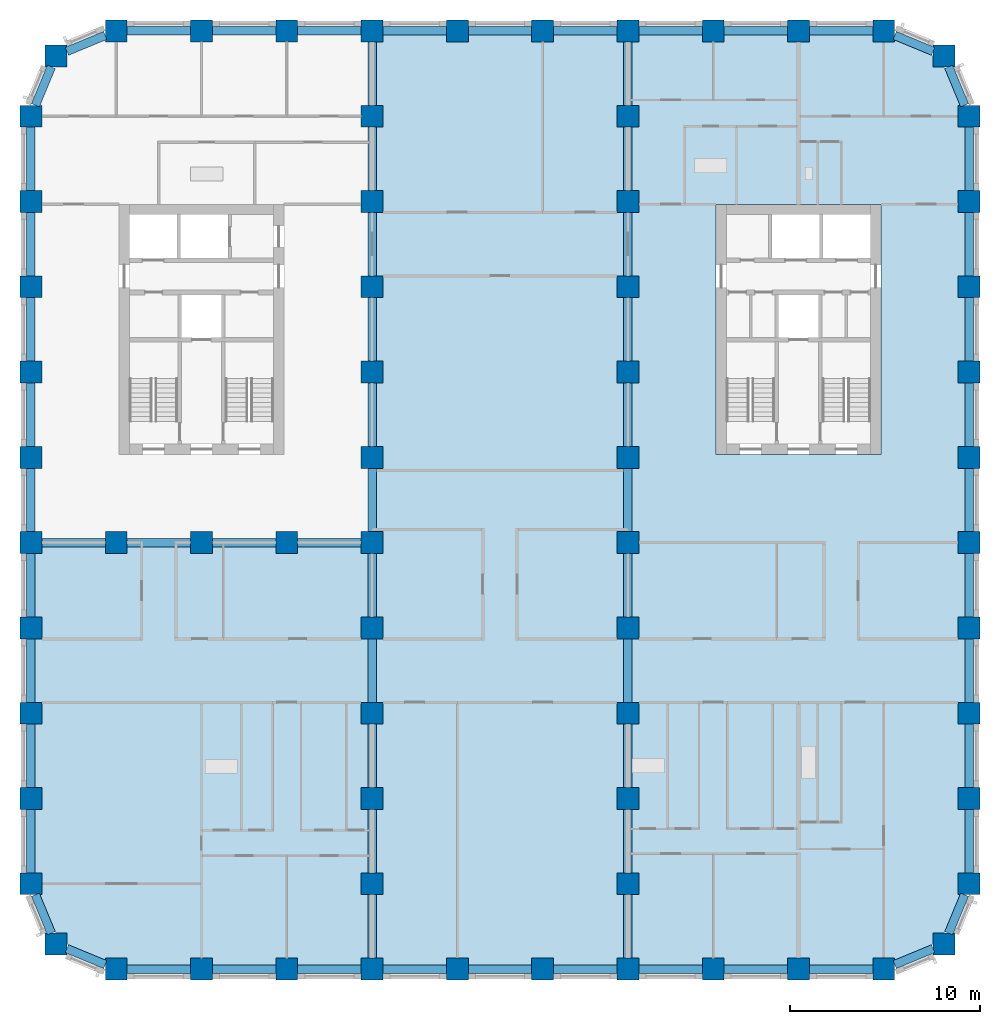
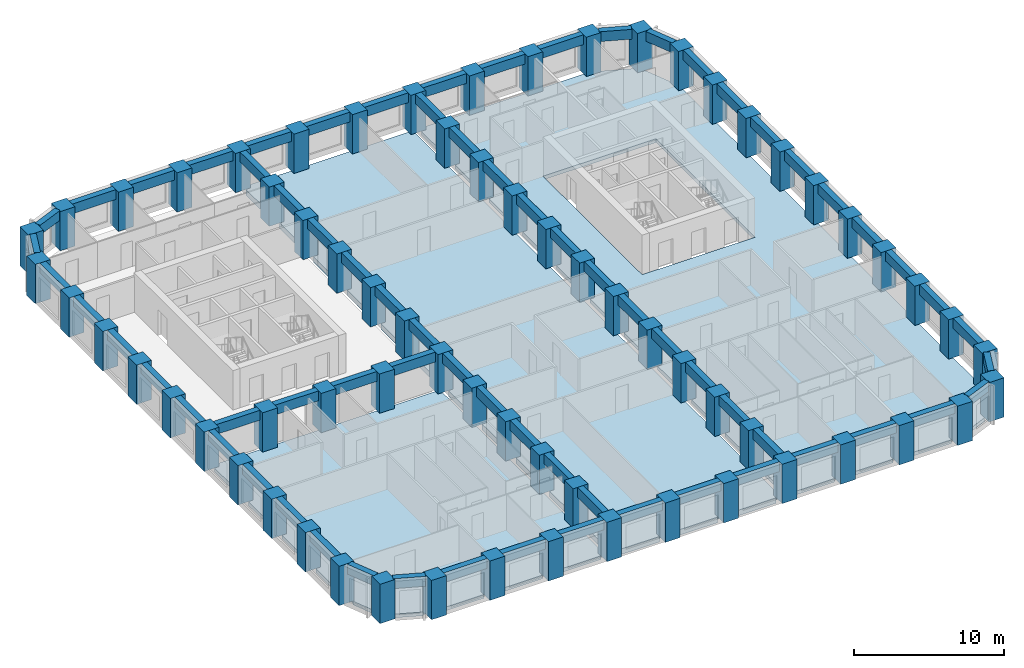
# One storey, part 1 of 12: 70 beams, 67 columns, 3 slabs.
"""IFC4 building model written with IfcOpenShell, lengths in metres."""

from ifc_helpers import new_model, si_unit, direction, frame, origin, origin_2d, place, context, subcontext, project, spatial, polyline, rectangle, outline, extrude, material, layer, layer_set, material_profile, profile_set, type_object, element, save


model = new_model("IFC4")

# Units and contexts
model_context = context("Model", 3, precision=1e-05, world=origin(), true_north=direction((0.0, 1.0)))
body_context = subcontext(model_context, "Body", "Model", "MODEL_VIEW")
ifc_project = project(units=[si_unit("LENGTHUNIT", "METRE"), si_unit("AREAUNIT", "SQUARE_METRE"), si_unit("VOLUMEUNIT", "CUBIC_METRE"), si_unit("PLANEANGLEUNIT", "RADIAN"), si_unit("MASSUNIT", "GRAM", prefix="KILO")], contexts=[model_context])

# Site, building, storey
site_placement = place(None, origin())
site = spatial("IfcSite", under=ifc_project, at=site_placement, CompositionType="ELEMENT")
building_placement = place(site_placement, origin())
building = spatial("IfcBuilding", under=site, at=building_placement, Name="Girih Gate Residences", CompositionType="ELEMENT")
storey_placement = place(building_placement, frame((0.0, 0.0, 115.199951171875)))
storey = spatial("IfcBuildingStorey", under=building, at=storey_placement, Name="L32", CompositionType="ELEMENT", Elevation=115.199951171875)

# Columns
ifc_material_1 = material(Name="Concrete C80/95", Category="concrete")
ifc_material_profile_1 = material_profile(ifc_material_1, rectangle(XDim=1.14990234375, YDim=1.14990234375, at=origin_2d()))
ifc_profile_set_1 = profile_set([ifc_material_profile_1], Name="Concrete C80/95")
column_type = type_object("IfcColumnType", Name="Pier RC 1150x1150 Concrete C80/95", PredefinedType="COLUMN", material=ifc_profile_set_1)
for number, where, z_axis, x_axis, name in (
    (1, (4.5, 0.0, 0.0), (0.0, 0.0, 1.0), (1.0, 0.0, 0.0), "Pier P2A L32"),
    (2, (9.0, 0.0, 0.0), (0.0, 0.0, 1.0), (1.0, 0.0, 0.0), "Pier P3A L32"),
    (3, (13.5, 0.0, 0.0), (0.0, 0.0, 1.0), (1.0, 0.0, 0.0), "Pier P4A L32"),
    (4, (18.0, 0.0, 0.0), (0.0, 0.0, 1.0), (1.0, 0.0, 0.0), "Pier P5A L32"),
    (5, (22.5, 0.0, 0.0), (0.0, 0.0, 1.0), (1.0, 0.0, 0.0), "Pier P6A L32"),
    (6, (27.0, 0.0, 0.0), (0.0, 0.0, 1.0), (1.0, 0.0, 0.0), "Pier P7A L32"),
    (7, (31.5, 0.0, 0.0), (0.0, 0.0, 1.0), (1.0, 0.0, 0.0), "Pier P8A L32"),
    (8, (36.0, 0.0, 0.0), (0.0, 0.0, 1.0), (1.0, 0.0, 0.0), "Pier P9A L32"),
    (9, (40.5, 0.0, 0.0), (0.0, 0.0, 1.0), (1.0, 0.0, 0.0), "Pier P10A L32"),
    (10, (45.0, 0.0, 0.0), (0.0, 0.0, 1.0), (1.0, 0.0, 0.0), "Pier P11A L32"),
    (11, (1.318115234375, 1.318115234375, 0.0), (0.0, 0.0, 1.0), (1.0, 0.0, 0.0), "Pier P1ANE L32"),
    (12, (48.181884765625, 1.318115234375, 0.0), (0.0, 0.0, 1.0), (1.0, 0.0, 0.0), "Pier P12ANW L32"),
    (13, (0.0, 4.5, 0.0), (0.0, 0.0, 1.0), (1.0, 0.0, 0.0), "Pier P1B L32"),
    (14, (18.0, 4.5, 0.0), (0.0, 0.0, 1.0), (1.0, 0.0, 0.0), "Pier P5B L32"),
    (15, (31.5, 4.5, 0.0), (0.0, 0.0, 1.0), (1.0, 0.0, 0.0), "Pier P8B L32"),
    (16, (49.5, 4.5, 0.0), (0.0, 0.0, 1.0), (1.0, 0.0, 0.0), "Pier P12B L32"),
    (17, (0.0, 9.0, 0.0), (0.0, 0.0, 1.0), (1.0, 0.0, 0.0), "Pier P1C L32"),
    (18, (18.0, 9.0, 0.0), (0.0, 0.0, 1.0), (1.0, 0.0, 0.0), "Pier P5C L32"),
    (19, (31.5, 9.0, 0.0), (0.0, 0.0, 1.0), (1.0, 0.0, 0.0), "Pier P8C L32"),
    (20, (49.5, 9.0, 0.0), (0.0, 0.0, 1.0), (1.0, 0.0, 0.0), "Pier P12C L32"),
    (21, (0.0, 13.5, 0.0), (0.0, 0.0, 1.0), (1.0, 0.0, 0.0), "Pier P1D L32"),
    (22, (18.0, 13.5, 0.0), (0.0, 0.0, 1.0), (1.0, 0.0, 0.0), "Pier P5D L32"),
    (23, (31.5, 13.5, 0.0), (0.0, 0.0, 1.0), (1.0, 0.0, 0.0), "Pier P8D L32"),
    (24, (49.5, 13.5, 0.0), (0.0, 0.0, 1.0), (1.0, 0.0, 0.0), "Pier P12D L32"),
    (25, (0.0, 18.0, 0.0), (0.0, 0.0, 1.0), (1.0, 0.0, 0.0), "Pier P1E L32"),
    (26, (18.0, 18.0, 0.0), (0.0, 0.0, 1.0), (1.0, 0.0, 0.0), "Pier P5E L32"),
    (27, (31.5, 18.0, 0.0), (0.0, 0.0, 1.0), (1.0, 0.0, 0.0), "Pier P8E L32"),
    (28, (49.5, 18.0, 0.0), (0.0, 0.0, 1.0), (1.0, 0.0, 0.0), "Pier P12E L32"),
    (29, (0.0, 22.5, 0.0), (0.0, 0.0, 1.0), (1.0, 0.0, 0.0), "Pier P1F L32"),
    (30, (4.5, 22.5, 0.0), (0.0, 0.0, 1.0), (1.0, 0.0, 0.0), "Pier P2F L32"),
    (31, (9.0, 22.5, 0.0), (0.0, 0.0, 1.0), (1.0, 0.0, 0.0), "Pier P3F L32"),
    (32, (13.5, 22.5, 0.0), (0.0, 0.0, 1.0), (1.0, 0.0, 0.0), "Pier P4F L32"),
    (33, (18.0, 22.5, 0.0), (0.0, 0.0, 1.0), (1.0, 0.0, 0.0), "Pier P5F L32"),
    (34, (31.5, 22.5, 0.0), (0.0, 0.0, 1.0), (1.0, 0.0, 0.0), "Pier P8F L32"),
    (35, (49.5, 22.5, 0.0), (0.0, 0.0, 1.0), (1.0, 0.0, 0.0), "Pier P12F L32"),
    (36, (0.0, 27.0, 0.0), (0.0, 0.0, 1.0), (1.0, 0.0, 0.0), "Pier P1G L32"),
    (37, (18.0, 27.0, 0.0), (0.0, 0.0, 1.0), (1.0, 0.0, 0.0), "Pier P5G L32"),
    (38, (31.5, 27.0, 0.0), (0.0, 0.0, 1.0), (1.0, 0.0, 0.0), "Pier P8G L32"),
    (39, (49.5, 27.0, 0.0), (0.0, 0.0, 1.0), (1.0, 0.0, 0.0), "Pier P12G L32"),
    (40, (0.0, 31.5, 0.0), (0.0, 0.0, 1.0), (1.0, 0.0, 0.0), "Pier P1H L32"),
    (41, (18.0, 31.5, 0.0), (0.0, 0.0, 1.0), (1.0, 0.0, 0.0), "Pier P5H L32"),
    (42, (31.5, 31.5, 0.0), (0.0, 0.0, 1.0), (1.0, 0.0, 0.0), "Pier P8H L32"),
    (43, (49.5, 31.5, 0.0), (0.0, 0.0, 1.0), (1.0, 0.0, 0.0), "Pier P12H L32"),
    (44, (0.0, 36.0, 0.0), (0.0, 0.0, 1.0), (1.0, 0.0, 0.0), "Pier P1I L32"),
    (45, (18.0, 36.0, 0.0), (0.0, 0.0, 1.0), (1.0, 0.0, 0.0), "Pier P5I L32"),
    (46, (31.5, 36.0, 0.0), (0.0, 0.0, 1.0), (1.0, 0.0, 0.0), "Pier P8I L32"),
    (47, (49.5, 36.0, 0.0), (0.0, 0.0, 1.0), (1.0, 0.0, 0.0), "Pier P12I L32"),
    (48, (0.0, 40.5, 0.0), (0.0, 0.0, 1.0), (1.0, 0.0, 0.0), "Pier P1J L32"),
    (49, (18.0, 40.5, 0.0), (0.0, 0.0, 1.0), (1.0, 0.0, 0.0), "Pier P5J L32"),
    (50, (31.5, 40.5, 0.0), (0.0, 0.0, 1.0), (1.0, 0.0, 0.0), "Pier P8J L32"),
    (51, (49.5, 40.5, 0.0), (0.0, 0.0, 1.0), (1.0, 0.0, 0.0), "Pier P12J L32"),
    (52, (0.0, 45.0, 0.0), (0.0, 0.0, 1.0), (1.0, 0.0, 0.0), "Pier P1K L32"),
    (53, (18.0, 45.0, 0.0), (0.0, 0.0, 1.0), (1.0, 0.0, 0.0), "Pier P5K L32"),
    (54, (31.5, 45.0, 0.0), (0.0, 0.0, 1.0), (1.0, 0.0, 0.0), "Pier P8K L32"),
    (55, (49.5, 45.0, 0.0), (0.0, 0.0, 1.0), (1.0, 0.0, 0.0), "Pier P12K L32"),
    (56, (1.318115234375, 48.181884765625, 0.0), (0.0, 0.0, 1.0), (1.0, 0.0, 0.0), "Pier P1LSE L32"),
    (57, (48.181884765625, 48.181884765625, 0.0), (0.0, 0.0, 1.0), (1.0, 0.0, 0.0), "Pier P12LSW L32"),
    (58, (4.5, 49.5, 0.0), (0.0, 0.0, 1.0), (1.0, 0.0, 0.0), "Pier P2L L32"),
    (59, (9.0, 49.5, 0.0), (0.0, 0.0, 1.0), (1.0, 0.0, 0.0), "Pier P3L L32"),
    (60, (13.5, 49.5, 0.0), (0.0, 0.0, 1.0), (1.0, 0.0, 0.0), "Pier P4L L32"),
    (61, (18.0, 49.5, 0.0), (0.0, 0.0, 1.0), (1.0, 0.0, 0.0), "Pier P5L L32"),
    (62, (22.5, 49.5, 0.0), (0.0, 0.0, 1.0), (1.0, 0.0, 0.0), "Pier P6L L32"),
    (63, (27.0, 49.5, 0.0), (0.0, 0.0, 1.0), (1.0, 0.0, 0.0), "Pier P7L L32"),
    (64, (31.5, 49.5, 0.0), (0.0, 0.0, 1.0), (1.0, 0.0, 0.0), "Pier P8L L32"),
    (65, (36.0, 49.5, 0.0), (0.0, 0.0, 1.0), (1.0, 0.0, 0.0), "Pier P9L L32"),
    (66, (40.5, 49.5, 0.0), (0.0, 0.0, 1.0), (1.0, 0.0, 0.0), "Pier P10L L32"),
    (67, (45.0, 49.5, 0.0), (0.0, 0.0, 1.0), (1.0, 0.0, 0.0), "Pier P11L L32"),
):
    element("IfcColumn", number, at=place(storey_placement, frame(where, z_axis=z_axis, x_axis=x_axis)), inside=storey, type_object=column_type, Name=name, PredefinedType="COLUMN", context=body_context, shape_type="SweptSolid", body=[
        extrude(rectangle(XDim=1.14990234375, YDim=1.14990234375, at=origin_2d()), origin(), (0.0, 0.0, 1.0), 3.199951171875),
    ])

# Beams
ifc_material_2 = material(Name="Concrete C60/75", Category="concrete")
ifc_material_profile_2 = material_profile(ifc_material_2, rectangle(XDim=0.449951171875, YDim=0.800048828125, at=origin_2d()))
ifc_profile_set_2 = profile_set([ifc_material_profile_2], Name="Concrete C60/75")
beam_type = type_object("IfcBeamType", Name="Spandrel girder RC 450x800 Concrete C60/75", PredefinedType="BEAM", material=ifc_profile_set_2)
for number, where, z_axis, x_axis, name in (
    (68, (0.23828125, 3.925048828125, 2.800048828125), (0.382636106589, -0.92389913407, 0.0), (0.92389913407, 0.382636106589, 0.0), "Spandrel girder SP-P1B-P1ANE L32"),
    (69, (1.89306640625, 1.079833984375, 2.800048828125), (0.92389913407, -0.382636106589, 0.0), (0.382636106589, 0.92389913407, 0.0), "Spandrel girder SP-P1ANE-P2A L32"),
):
    element("IfcBeam", number, at=place(storey_placement, frame(where, z_axis=z_axis, x_axis=x_axis)), inside=storey, type_object=beam_type, Name=name, PredefinedType="BEAM", context=body_context, shape_type="SweptSolid", body=[
        extrude(rectangle(XDim=0.449951171875, YDim=0.800048828125, at=origin_2d()), origin(), (0.0, 0.0, 1.0), 2.199462890625),
    ])
for number, where, z_axis, x_axis, name in (
    (70, (5.074951171875, 0.0, 2.800048828125), (1.0, 0.0, 0.0), (0.0, 1.0, 0.0), "Spandrel girder SP-P2A-P3A L32"),
    (71, (9.574951171875, 0.0, 2.800048828125), (1.0, 0.0, 0.0), (0.0, 1.0, 0.0), "Spandrel girder SP-P3A-P4A L32"),
    (72, (14.074951171875, 0.0, 2.800048828125), (1.0, 0.0, 0.0), (0.0, 1.0, 0.0), "Spandrel girder SP-P4A-P5A L32"),
    (73, (18.574951171875, 0.0, 2.800048828125), (1.0, 0.0, 0.0), (0.0, 1.0, 0.0), "Spandrel girder SP-P5A-P6A L32"),
    (74, (23.074951171875, 0.0, 2.800048828125), (1.0, 0.0, 0.0), (0.0, 1.0, 0.0), "Spandrel girder SP-P6A-P7A L32"),
    (75, (27.574951171875, 0.0, 2.800048828125), (1.0, 0.0, 0.0), (0.0, 1.0, 0.0), "Spandrel girder SP-P7A-P8A L32"),
    (76, (32.074951171875, 0.0, 2.800048828125), (1.0, 0.0, 0.0), (0.0, 1.0, 0.0), "Spandrel girder SP-P8A-P9A L32"),
    (77, (36.574951171875, 0.0, 2.800048828125), (1.0, 0.0, 0.0), (0.0, 1.0, 0.0), "Spandrel girder SP-P9A-P10A L32"),
    (78, (41.074951171875, 0.0, 2.800048828125), (1.0, 0.0, 0.0), (0.0, 1.0, 0.0), "Spandrel girder SP-P10A-P11A L32"),
):
    element("IfcBeam", number, at=place(storey_placement, frame(where, z_axis=z_axis, x_axis=x_axis)), inside=storey, type_object=beam_type, Name=name, PredefinedType="BEAM", context=body_context, shape_type="SweptSolid", body=[
        extrude(rectangle(XDim=0.449951171875, YDim=0.800048828125, at=origin_2d()), origin(), (0.0, 0.0, 1.0), 3.35009765625),
    ])
for number, where, z_axis, x_axis, name in (
    (79, (45.574951171875, 0.23828125, 2.800048828125), (0.92389913407, 0.382636106589, 0.0), (-0.382636106589, 0.92389913407, 0.0), "Spandrel girder SP-P11A-P12ANW L32"),
    (80, (48.420166015625, 1.89306640625, 2.800048828125), (0.382636106589, 0.92389913407, 0.0), (-0.92389913407, 0.382636106589, 0.0), "Spandrel girder SP-P12ANW-P12B L32"),
):
    element("IfcBeam", number, at=place(storey_placement, frame(where, z_axis=z_axis, x_axis=x_axis)), inside=storey, type_object=beam_type, Name=name, PredefinedType="BEAM", context=body_context, shape_type="SweptSolid", body=[
        extrude(rectangle(XDim=0.449951171875, YDim=0.800048828125, at=origin_2d()), origin(), (0.0, 0.0, 1.0), 2.199462890625),
    ])
for number, where, z_axis, x_axis, name in (
    (81, (49.5, 5.074951171875, 2.800048828125), (0.0, 1.0, 0.0), (-1.0, 0.0, 0.0), "Spandrel girder SP-P12B-P12C L32"),
    (82, (49.5, 9.574951171875, 2.800048828125), (0.0, 1.0, 0.0), (-1.0, 0.0, 0.0), "Spandrel girder SP-P12C-P12D L32"),
    (83, (49.5, 14.074951171875, 2.800048828125), (0.0, 1.0, 0.0), (-1.0, 0.0, 0.0), "Spandrel girder SP-P12D-P12E L32"),
    (84, (49.5, 18.574951171875, 2.800048828125), (0.0, 1.0, 0.0), (-1.0, 0.0, 0.0), "Spandrel girder SP-P12E-P12F L32"),
    (85, (49.5, 23.074951171875, 2.800048828125), (0.0, 1.0, 0.0), (-1.0, 0.0, 0.0), "Spandrel girder SP-P12F-P12G L32"),
    (86, (49.5, 27.574951171875, 2.800048828125), (0.0, 1.0, 0.0), (-1.0, 0.0, 0.0), "Spandrel girder SP-P12G-P12H L32"),
    (87, (49.5, 32.074951171875, 2.800048828125), (0.0, 1.0, 0.0), (-1.0, 0.0, 0.0), "Spandrel girder SP-P12H-P12I L32"),
    (88, (49.5, 36.574951171875, 2.800048828125), (0.0, 1.0, 0.0), (-1.0, 0.0, 0.0), "Spandrel girder SP-P12I-P12J L32"),
    (89, (49.5, 41.074951171875, 2.800048828125), (0.0, 1.0, 0.0), (-1.0, 0.0, 0.0), "Spandrel girder SP-P12J-P12K L32"),
):
    element("IfcBeam", number, at=place(storey_placement, frame(where, z_axis=z_axis, x_axis=x_axis)), inside=storey, type_object=beam_type, Name=name, PredefinedType="BEAM", context=body_context, shape_type="SweptSolid", body=[
        extrude(rectangle(XDim=0.449951171875, YDim=0.800048828125, at=origin_2d()), origin(), (0.0, 0.0, 1.0), 3.35009765625),
    ])
for number, where, z_axis, x_axis, name in (
    (90, (49.26171875, 45.574951171875, 2.800048828125), (-0.382636106589, 0.92389913407, 0.0), (-0.92389913407, -0.382636106589, 0.0), "Spandrel girder SP-P12K-P12LSW L32"),
    (91, (47.60693359375, 48.420166015625, 2.800048828125), (-0.92389913407, 0.382636106589, 0.0), (-0.382636106589, -0.92389913407, 0.0), "Spandrel girder SP-P12LSW-P11L L32"),
):
    element("IfcBeam", number, at=place(storey_placement, frame(where, z_axis=z_axis, x_axis=x_axis)), inside=storey, type_object=beam_type, Name=name, PredefinedType="BEAM", context=body_context, shape_type="SweptSolid", body=[
        extrude(rectangle(XDim=0.449951171875, YDim=0.800048828125, at=origin_2d()), origin(), (0.0, 0.0, 1.0), 2.199462890625),
    ])
for number, where, z_axis, x_axis, name in (
    (92, (44.425048828125, 49.5, 2.800048828125), (-1.0, 0.0, 0.0), (0.0, -1.0, 0.0), "Spandrel girder SP-P11L-P10L L32"),
    (93, (39.925048828125, 49.5, 2.800048828125), (-1.0, 0.0, 0.0), (0.0, -1.0, 0.0), "Spandrel girder SP-P10L-P9L L32"),
    (94, (35.425048828125, 49.5, 2.800048828125), (-1.0, 0.0, 0.0), (0.0, -1.0, 0.0), "Spandrel girder SP-P9L-P8L L32"),
    (95, (30.925048828125, 49.5, 2.800048828125), (-1.0, 0.0, 0.0), (0.0, -1.0, 0.0), "Spandrel girder SP-P8L-P7L L32"),
    (96, (26.425048828125, 49.5, 2.800048828125), (-1.0, 0.0, 0.0), (0.0, -1.0, 0.0), "Spandrel girder SP-P7L-P6L L32"),
    (97, (21.925048828125, 49.5, 2.800048828125), (-1.0, 0.0, 0.0), (0.0, -1.0, 0.0), "Spandrel girder SP-P6L-P5L L32"),
    (98, (17.425048828125, 49.5, 2.800048828125), (-1.0, 0.0, 0.0), (0.0, -1.0, 0.0), "Spandrel girder SP-P5L-P4L L32"),
    (99, (12.925048828125, 49.5, 2.800048828125), (-1.0, 0.0, 0.0), (0.0, -1.0, 0.0), "Spandrel girder SP-P4L-P3L L32"),
    (100, (8.425048828125, 49.5, 2.800048828125), (-1.0, 0.0, 0.0), (0.0, -1.0, 0.0), "Spandrel girder SP-P3L-P2L L32"),
):
    element("IfcBeam", number, at=place(storey_placement, frame(where, z_axis=z_axis, x_axis=x_axis)), inside=storey, type_object=beam_type, Name=name, PredefinedType="BEAM", context=body_context, shape_type="SweptSolid", body=[
        extrude(rectangle(XDim=0.449951171875, YDim=0.800048828125, at=origin_2d()), origin(), (0.0, 0.0, 1.0), 3.35009765625),
    ])
for number, where, z_axis, x_axis, name in (
    (101, (3.925048828125, 49.26171875, 2.800048828125), (-0.92389913407, -0.382636106589, 0.0), (0.382636106589, -0.92389913407, 0.0), "Spandrel girder SP-P2L-P1LSE L32"),
    (102, (1.079833984375, 47.60693359375, 2.800048828125), (-0.382636106589, -0.92389913407, 0.0), (0.92389913407, -0.382636106589, 0.0), "Spandrel girder SP-P1LSE-P1K L32"),
):
    element("IfcBeam", number, at=place(storey_placement, frame(where, z_axis=z_axis, x_axis=x_axis)), inside=storey, type_object=beam_type, Name=name, PredefinedType="BEAM", context=body_context, shape_type="SweptSolid", body=[
        extrude(rectangle(XDim=0.449951171875, YDim=0.800048828125, at=origin_2d()), origin(), (0.0, 0.0, 1.0), 2.199462890625),
    ])
for number, where, z_axis, x_axis, name in (
    (103, (0.0, 44.425048828125, 2.800048828125), (0.0, -1.0, 0.0), (1.0, 0.0, 0.0), "Spandrel girder SP-P1K-P1J L32"),
    (104, (0.0, 39.925048828125, 2.800048828125), (0.0, -1.0, 0.0), (1.0, 0.0, 0.0), "Spandrel girder SP-P1J-P1I L32"),
    (105, (0.0, 35.425048828125, 2.800048828125), (0.0, -1.0, 0.0), (1.0, 0.0, 0.0), "Spandrel girder SP-P1I-P1H L32"),
    (106, (0.0, 30.925048828125, 2.800048828125), (0.0, -1.0, 0.0), (1.0, 0.0, 0.0), "Spandrel girder SP-P1H-P1G L32"),
    (107, (0.0, 26.425048828125, 2.800048828125), (0.0, -1.0, 0.0), (1.0, 0.0, 0.0), "Spandrel girder SP-P1G-P1F L32"),
    (108, (0.0, 21.925048828125, 2.800048828125), (0.0, -1.0, 0.0), (1.0, 0.0, 0.0), "Spandrel girder SP-P1F-P1E L32"),
    (109, (0.0, 17.425048828125, 2.800048828125), (0.0, -1.0, 0.0), (1.0, 0.0, 0.0), "Spandrel girder SP-P1E-P1D L32"),
    (110, (0.0, 12.925048828125, 2.800048828125), (0.0, -1.0, 0.0), (1.0, 0.0, 0.0), "Spandrel girder SP-P1D-P1C L32"),
    (111, (0.0, 8.425048828125, 2.800048828125), (0.0, -1.0, 0.0), (1.0, 0.0, 0.0), "Spandrel girder SP-P1C-P1B L32"),
    (112, (18.0, 0.574951171875, 2.800048828125), (0.0, 1.0, 0.0), (-1.0, 0.0, 0.0), "Spandrel girder SP-P5A-P5B L32"),
    (113, (18.0, 5.074951171875, 2.800048828125), (0.0, 1.0, 0.0), (-1.0, 0.0, 0.0), "Spandrel girder SP-P5B-P5C L32"),
    (114, (18.0, 9.574951171875, 2.800048828125), (0.0, 1.0, 0.0), (-1.0, 0.0, 0.0), "Spandrel girder SP-P5C-P5D L32"),
    (115, (18.0, 14.074951171875, 2.800048828125), (0.0, 1.0, 0.0), (-1.0, 0.0, 0.0), "Spandrel girder SP-P5D-P5E L32"),
    (116, (18.0, 18.574951171875, 2.800048828125), (0.0, 1.0, 0.0), (-1.0, 0.0, 0.0), "Spandrel girder SP-P5E-P5F L32"),
    (117, (18.0, 23.074951171875, 2.800048828125), (0.0, 1.0, 0.0), (-1.0, 0.0, 0.0), "Spandrel girder SP-P5F-P5G L32"),
    (118, (18.0, 27.574951171875, 2.800048828125), (0.0, 1.0, 0.0), (-1.0, 0.0, 0.0), "Spandrel girder SP-P5G-P5H L32"),
    (119, (18.0, 32.074951171875, 2.800048828125), (0.0, 1.0, 0.0), (-1.0, 0.0, 0.0), "Spandrel girder SP-P5H-P5I L32"),
    (120, (18.0, 36.574951171875, 2.800048828125), (0.0, 1.0, 0.0), (-1.0, 0.0, 0.0), "Spandrel girder SP-P5I-P5J L32"),
    (121, (18.0, 41.074951171875, 2.800048828125), (0.0, 1.0, 0.0), (-1.0, 0.0, 0.0), "Spandrel girder SP-P5J-P5K L32"),
    (122, (18.0, 45.574951171875, 2.800048828125), (0.0, 1.0, 0.0), (-1.0, 0.0, 0.0), "Spandrel girder SP-P5K-P5L L32"),
    (123, (31.5, 0.574951171875, 2.800048828125), (0.0, 1.0, 0.0), (-1.0, 0.0, 0.0), "Spandrel girder SP-P8A-P8B L32"),
    (124, (31.5, 5.074951171875, 2.800048828125), (0.0, 1.0, 0.0), (-1.0, 0.0, 0.0), "Spandrel girder SP-P8B-P8C L32"),
    (125, (31.5, 9.574951171875, 2.800048828125), (0.0, 1.0, 0.0), (-1.0, 0.0, 0.0), "Spandrel girder SP-P8C-P8D L32"),
    (126, (31.5, 14.074951171875, 2.800048828125), (0.0, 1.0, 0.0), (-1.0, 0.0, 0.0), "Spandrel girder SP-P8D-P8E L32"),
    (127, (31.5, 18.574951171875, 2.800048828125), (0.0, 1.0, 0.0), (-1.0, 0.0, 0.0), "Spandrel girder SP-P8E-P8F L32"),
    (128, (31.5, 23.074951171875, 2.800048828125), (0.0, 1.0, 0.0), (-1.0, 0.0, 0.0), "Spandrel girder SP-P8F-P8G L32"),
    (129, (31.5, 27.574951171875, 2.800048828125), (0.0, 1.0, 0.0), (-1.0, 0.0, 0.0), "Spandrel girder SP-P8G-P8H L32"),
    (130, (31.5, 32.074951171875, 2.800048828125), (0.0, 1.0, 0.0), (-1.0, 0.0, 0.0), "Spandrel girder SP-P8H-P8I L32"),
    (131, (31.5, 36.574951171875, 2.800048828125), (0.0, 1.0, 0.0), (-1.0, 0.0, 0.0), "Spandrel girder SP-P8I-P8J L32"),
    (132, (31.5, 41.074951171875, 2.800048828125), (0.0, 1.0, 0.0), (-1.0, 0.0, 0.0), "Spandrel girder SP-P8J-P8K L32"),
    (133, (31.5, 45.574951171875, 2.800048828125), (0.0, 1.0, 0.0), (-1.0, 0.0, 0.0), "Spandrel girder SP-P8K-P8L L32"),
    (134, (0.574951171875, 22.5, 2.800048828125), (1.0, 0.0, 0.0), (0.0, 1.0, 0.0), "Spandrel girder SP-P1F-P2F L32"),
    (135, (5.074951171875, 22.5, 2.800048828125), (1.0, 0.0, 0.0), (0.0, 1.0, 0.0), "Spandrel girder SP-P2F-P3F L32"),
    (136, (9.574951171875, 22.5, 2.800048828125), (1.0, 0.0, 0.0), (0.0, 1.0, 0.0), "Spandrel girder SP-P3F-P4F L32"),
    (137, (14.074951171875, 22.5, 2.800048828125), (1.0, 0.0, 0.0), (0.0, 1.0, 0.0), "Spandrel girder SP-P4F-P5F L32"),
):
    element("IfcBeam", number, at=place(storey_placement, frame(where, z_axis=z_axis, x_axis=x_axis)), inside=storey, type_object=beam_type, Name=name, PredefinedType="BEAM", context=body_context, shape_type="SweptSolid", body=[
        extrude(rectangle(XDim=0.449951171875, YDim=0.800048828125, at=origin_2d()), origin(), (0.0, 0.0, 1.0), 3.35009765625),
    ])

# Slabs
ifc_material_3 = material(Name="Concrete C40/50", Category="concrete")
ifc_layer_1 = layer(ifc_material_3, 0.300048828125)
ifc_layer_set_1 = layer_set([ifc_layer_1], Name="Floor slab PT 300 Concrete C40/50")
slab_type_1 = type_object("IfcSlabType", Name="Floor slab PT 300 Concrete C40/50", PredefinedType="FLOOR", material=ifc_layer_set_1)
slab_1_placement = place(storey_placement, frame((0.0, 0.0, -0.300048828125)))
element("IfcSlab", 138, at=slab_1_placement, inside=storey, type_object=slab_type_1, Name="Floor slab L32 0", PredefinedType="FLOOR", context=body_context, shape_type="SweptSolid", body=[
    extrude(outline(polyline([(0.22509765625, 8.425048828125), (0.22509765625, 5.074951171875), (0.574951171875, 5.074951171875), (0.574951171875, 3.925048828125), (0.481689453125, 3.925048828125), (1.323486328125, 1.89306640625), (1.89306640625, 1.89306640625), (1.89306640625, 1.323486328125), (3.925048828125, 0.481689453125), (3.925048828125, 0.574951171875), (5.074951171875, 0.574951171875), (5.074951171875, 0.22509765625), (8.425048828125, 0.22509765625), (8.425048828125, 0.574951171875), (9.574951171875, 0.574951171875), (9.574951171875, 0.22509765625), (12.925048828125, 0.22509765625), (12.925048828125, 0.574951171875), (14.074951171875, 0.574951171875), (14.074951171875, 0.22509765625), (17.425048828125, 0.22509765625), (17.425048828125, 0.574951171875), (17.77490234375, 0.574951171875), (17.77490234375, 3.925048828125), (17.425048828125, 3.925048828125), (17.425048828125, 5.074951171875), (17.77490234375, 5.074951171875), (17.77490234375, 8.425048828125), (17.425048828125, 8.425048828125), (17.425048828125, 9.574951171875), (17.77490234375, 9.574951171875), (17.77490234375, 12.925048828125), (17.425048828125, 12.925048828125), (17.425048828125, 14.074951171875), (17.77490234375, 14.074951171875), (17.77490234375, 17.425048828125), (17.425048828125, 17.425048828125), (17.425048828125, 18.574951171875), (17.77490234375, 18.574951171875), (17.77490234375, 21.925048828125), (17.425048828125, 21.925048828125), (17.425048828125, 22.27490234375), (14.074951171875, 22.27490234375), (14.074951171875, 21.925048828125), (12.925048828125, 21.925048828125), (12.925048828125, 22.27490234375), (9.574951171875, 22.27490234375), (9.574951171875, 21.925048828125), (8.425048828125, 21.925048828125), (8.425048828125, 22.27490234375), (5.074951171875, 22.27490234375), (5.074951171875, 21.925048828125), (3.925048828125, 21.925048828125), (3.925048828125, 22.27490234375), (0.574951171875, 22.27490234375), (0.574951171875, 21.925048828125), (0.22509765625, 21.925048828125), (0.22509765625, 18.574951171875), (0.574951171875, 18.574951171875), (0.574951171875, 17.425048828125), (0.22509765625, 17.425048828125), (0.22509765625, 14.074951171875), (0.574951171875, 14.074951171875), (0.574951171875, 12.925048828125), (0.22509765625, 12.925048828125), (0.22509765625, 9.574951171875), (0.574951171875, 9.574951171875), (0.574951171875, 8.425048828125), (0.22509765625, 8.425048828125)])), origin(), (0.0, 0.0, 1.0), 0.300048828125),
])
slab_2_placement = place(storey_placement, frame((0.0, 0.0, -0.300048828125)))
element("IfcSlab", 139, at=slab_2_placement, inside=storey, type_object=slab_type_1, Name="Floor slab L32 1", PredefinedType="FLOOR", context=body_context, shape_type="SweptSolid", body=[
    extrude(outline(polyline([(35.425048828125, 49.27490234375), (32.074951171875, 49.27490234375), (32.074951171875, 48.925048828125), (31.72509765625, 48.925048828125), (31.72509765625, 45.574951171875), (32.074951171875, 45.574951171875), (32.074951171875, 44.425048828125), (31.72509765625, 44.425048828125), (31.72509765625, 41.074951171875), (32.074951171875, 41.074951171875), (32.074951171875, 39.925048828125), (31.72509765625, 39.925048828125), (31.72509765625, 36.574951171875), (32.074951171875, 36.574951171875), (32.074951171875, 35.425048828125), (31.72509765625, 35.425048828125), (31.72509765625, 32.074951171875), (32.074951171875, 32.074951171875), (32.074951171875, 30.925048828125), (31.72509765625, 30.925048828125), (31.72509765625, 27.574951171875), (32.074951171875, 27.574951171875), (32.074951171875, 26.425048828125), (31.72509765625, 26.425048828125), (31.72509765625, 23.074951171875), (32.074951171875, 23.074951171875), (32.074951171875, 21.925048828125), (31.72509765625, 21.925048828125), (31.72509765625, 18.574951171875), (32.074951171875, 18.574951171875), (32.074951171875, 17.425048828125), (31.72509765625, 17.425048828125), (31.72509765625, 14.074951171875), (32.074951171875, 14.074951171875), (32.074951171875, 12.925048828125), (31.72509765625, 12.925048828125), (31.72509765625, 9.574951171875), (32.074951171875, 9.574951171875), (32.074951171875, 8.425048828125), (31.72509765625, 8.425048828125), (31.72509765625, 5.074951171875), (32.074951171875, 5.074951171875), (32.074951171875, 3.925048828125), (31.72509765625, 3.925048828125), (31.72509765625, 0.574951171875), (32.074951171875, 0.574951171875), (32.074951171875, 0.22509765625), (35.425048828125, 0.22509765625), (35.425048828125, 0.574951171875), (36.574951171875, 0.574951171875), (36.574951171875, 0.22509765625), (39.925048828125, 0.22509765625), (39.925048828125, 0.574951171875), (41.074951171875, 0.574951171875), (41.074951171875, 0.22509765625), (44.425048828125, 0.22509765625), (44.425048828125, 0.574951171875), (45.574951171875, 0.574951171875), (45.574951171875, 0.481689453125), (47.60693359375, 1.323486328125), (47.60693359375, 1.89306640625), (48.176513671875, 1.89306640625), (49.018310546875, 3.925048828125), (48.925048828125, 3.925048828125), (48.925048828125, 5.074951171875), (49.27490234375, 5.074951171875), (49.27490234375, 8.425048828125), (48.925048828125, 8.425048828125), (48.925048828125, 9.574951171875), (49.27490234375, 9.574951171875), (49.27490234375, 12.925048828125), (48.925048828125, 12.925048828125), (48.925048828125, 14.074951171875), (49.27490234375, 14.074951171875), (49.27490234375, 17.425048828125), (48.925048828125, 17.425048828125), (48.925048828125, 18.574951171875), (49.27490234375, 18.574951171875), (49.27490234375, 21.925048828125), (48.925048828125, 21.925048828125), (48.925048828125, 23.074951171875), (49.27490234375, 23.074951171875), (49.27490234375, 26.425048828125), (48.925048828125, 26.425048828125), (48.925048828125, 27.574951171875), (49.27490234375, 27.574951171875), (49.27490234375, 30.925048828125), (48.925048828125, 30.925048828125), (48.925048828125, 32.074951171875), (49.27490234375, 32.074951171875), (49.27490234375, 35.425048828125), (48.925048828125, 35.425048828125), (48.925048828125, 36.574951171875), (49.27490234375, 36.574951171875), (49.27490234375, 39.925048828125), (48.925048828125, 39.925048828125), (48.925048828125, 41.074951171875), (49.27490234375, 41.074951171875), (49.27490234375, 44.425048828125), (48.925048828125, 44.425048828125), (48.925048828125, 45.574951171875), (49.018310546875, 45.574951171875), (48.176513671875, 47.60693359375), (47.60693359375, 47.60693359375), (47.60693359375, 48.176513671875), (45.574951171875, 49.018310546875), (45.574951171875, 48.925048828125), (44.425048828125, 48.925048828125), (44.425048828125, 49.27490234375), (41.074951171875, 49.27490234375), (41.074951171875, 48.925048828125), (39.925048828125, 48.925048828125), (39.925048828125, 49.27490234375), (36.574951171875, 49.27490234375), (36.574951171875, 48.925048828125), (35.425048828125, 48.925048828125), (35.425048828125, 49.27490234375)]), holes=[polyline([(44.85009765625, 40.35009765625), (44.85009765625, 27.14990234375), (36.14990234375, 27.14990234375), (36.14990234375, 40.35009765625), (44.85009765625, 40.35009765625)])]), origin(), (0.0, 0.0, 1.0), 0.300048828125),
])
ifc_layer_2 = layer(ifc_material_3, 0.449951171875)
ifc_layer_set_2 = layer_set([ifc_layer_2], Name="Floor slab PT 450 Concrete C40/50")
slab_type_2 = type_object("IfcSlabType", Name="Floor slab PT 450 Concrete C40/50", PredefinedType="FLOOR", material=ifc_layer_set_2)
slab_3_placement = place(storey_placement, frame((0.0, 0.0, -0.449951171875)))
element("IfcSlab", 140, at=slab_3_placement, inside=storey, type_object=slab_type_2, Name="Floor slab L32 2", PredefinedType="FLOOR", context=body_context, shape_type="SweptSolid", body=[
    extrude(outline(polyline([(21.925048828125, 49.27490234375), (18.574951171875, 49.27490234375), (18.574951171875, 48.925048828125), (18.22509765625, 48.925048828125), (18.22509765625, 45.574951171875), (18.574951171875, 45.574951171875), (18.574951171875, 44.425048828125), (18.22509765625, 44.425048828125), (18.22509765625, 41.074951171875), (18.574951171875, 41.074951171875), (18.574951171875, 39.925048828125), (18.22509765625, 39.925048828125), (18.22509765625, 36.574951171875), (18.574951171875, 36.574951171875), (18.574951171875, 35.425048828125), (18.22509765625, 35.425048828125), (18.22509765625, 32.074951171875), (18.574951171875, 32.074951171875), (18.574951171875, 30.925048828125), (18.22509765625, 30.925048828125), (18.22509765625, 27.574951171875), (18.574951171875, 27.574951171875), (18.574951171875, 26.425048828125), (18.22509765625, 26.425048828125), (18.22509765625, 23.074951171875), (18.574951171875, 23.074951171875), (18.574951171875, 21.925048828125), (18.22509765625, 21.925048828125), (18.22509765625, 18.574951171875), (18.574951171875, 18.574951171875), (18.574951171875, 17.425048828125), (18.22509765625, 17.425048828125), (18.22509765625, 14.074951171875), (18.574951171875, 14.074951171875), (18.574951171875, 12.925048828125), (18.22509765625, 12.925048828125), (18.22509765625, 9.574951171875), (18.574951171875, 9.574951171875), (18.574951171875, 8.425048828125), (18.22509765625, 8.425048828125), (18.22509765625, 5.074951171875), (18.574951171875, 5.074951171875), (18.574951171875, 3.925048828125), (18.22509765625, 3.925048828125), (18.22509765625, 0.574951171875), (18.574951171875, 0.574951171875), (18.574951171875, 0.22509765625), (21.925048828125, 0.22509765625), (21.925048828125, 0.574951171875), (23.074951171875, 0.574951171875), (23.074951171875, 0.22509765625), (26.425048828125, 0.22509765625), (26.425048828125, 0.574951171875), (27.574951171875, 0.574951171875), (27.574951171875, 0.22509765625), (30.925048828125, 0.22509765625), (30.925048828125, 0.574951171875), (31.27490234375, 0.574951171875), (31.27490234375, 3.925048828125), (30.925048828125, 3.925048828125), (30.925048828125, 5.074951171875), (31.27490234375, 5.074951171875), (31.27490234375, 8.425048828125), (30.925048828125, 8.425048828125), (30.925048828125, 9.574951171875), (31.27490234375, 9.574951171875), (31.27490234375, 12.925048828125), (30.925048828125, 12.925048828125), (30.925048828125, 14.074951171875), (31.27490234375, 14.074951171875), (31.27490234375, 17.425048828125), (30.925048828125, 17.425048828125), (30.925048828125, 18.574951171875), (31.27490234375, 18.574951171875), (31.27490234375, 21.925048828125), (30.925048828125, 21.925048828125), (30.925048828125, 23.074951171875), (31.27490234375, 23.074951171875), (31.27490234375, 26.425048828125), (30.925048828125, 26.425048828125), (30.925048828125, 27.574951171875), (31.27490234375, 27.574951171875), (31.27490234375, 30.925048828125), (30.925048828125, 30.925048828125), (30.925048828125, 32.074951171875), (31.27490234375, 32.074951171875), (31.27490234375, 35.425048828125), (30.925048828125, 35.425048828125), (30.925048828125, 36.574951171875), (31.27490234375, 36.574951171875), (31.27490234375, 39.925048828125), (30.925048828125, 39.925048828125), (30.925048828125, 41.074951171875), (31.27490234375, 41.074951171875), (31.27490234375, 44.425048828125), (30.925048828125, 44.425048828125), (30.925048828125, 45.574951171875), (31.27490234375, 45.574951171875), (31.27490234375, 48.925048828125), (30.925048828125, 48.925048828125), (30.925048828125, 49.27490234375), (27.574951171875, 49.27490234375), (27.574951171875, 48.925048828125), (26.425048828125, 48.925048828125), (26.425048828125, 49.27490234375), (23.074951171875, 49.27490234375), (23.074951171875, 48.925048828125), (21.925048828125, 48.925048828125), (21.925048828125, 49.27490234375)])), origin(), (0.0, 0.0, 1.0), 0.449951171875),
])

save(model, "model.ifc")
